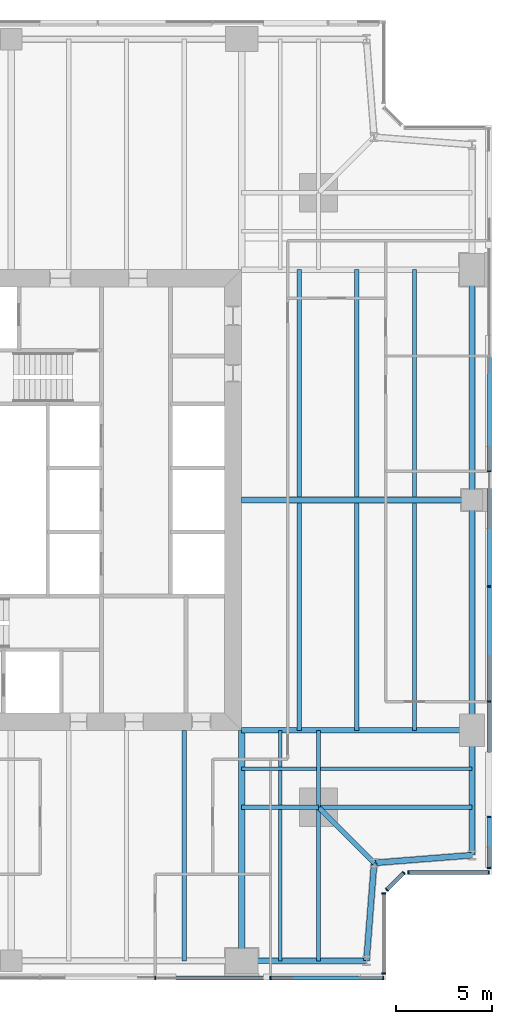
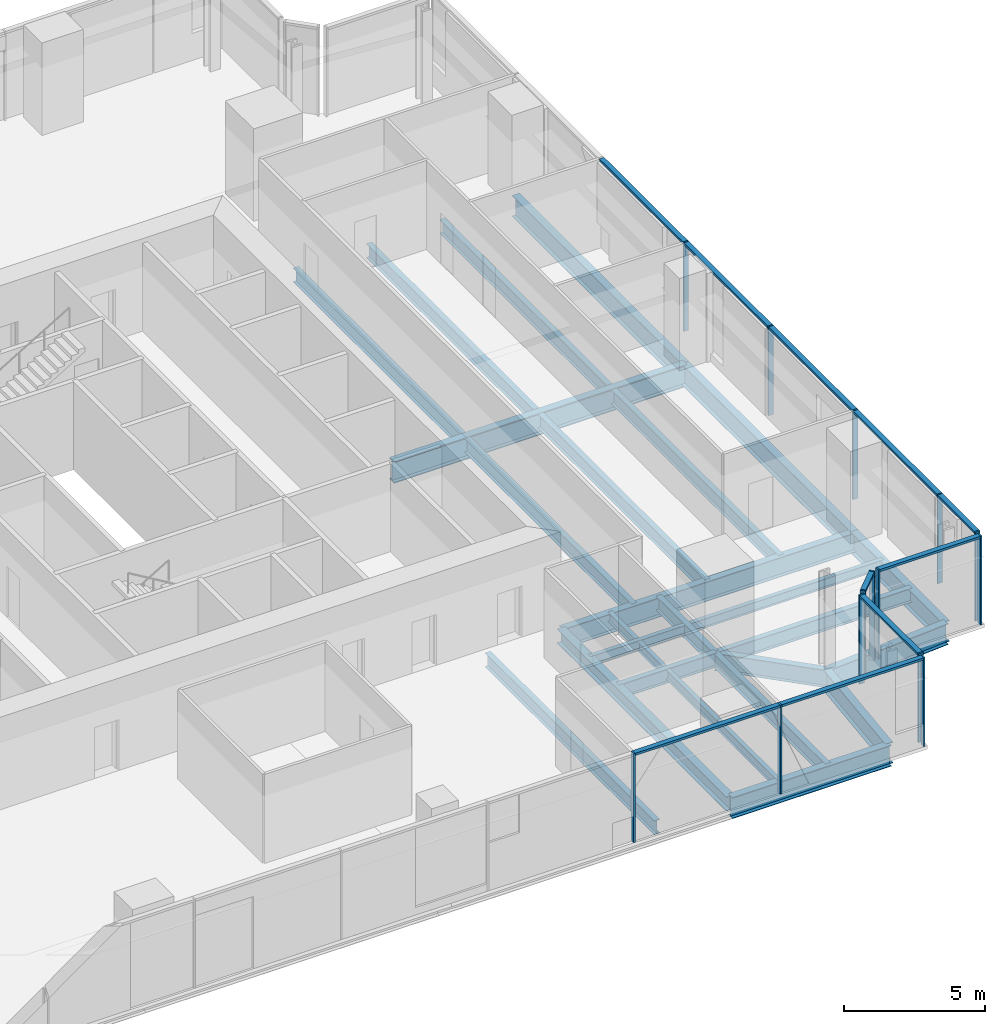
# One storey, part 5 of 14: 26 beams, 24 members, 5 elements without a shape of their own.
"""IFC4 building model written with IfcOpenShell, lengths in metres."""

from ifc_helpers import new_model, si_unit, direction, frame, origin, origin_2d, place, context, subcontext, project, spatial, rectangle, i_section, extrude, material, material_profile, profile_set, type_object, element, aggregate, save


model = new_model("IFC4")

# Units and contexts
model_context = context("Model", 3, precision=1e-05, world=origin(), true_north=direction((0.0, 1.0)))
body_context = subcontext(model_context, "Body", "Model", "MODEL_VIEW")
ifc_project = project(units=[si_unit("LENGTHUNIT", "METRE"), si_unit("AREAUNIT", "SQUARE_METRE"), si_unit("VOLUMEUNIT", "CUBIC_METRE"), si_unit("PLANEANGLEUNIT", "RADIAN"), si_unit("MASSUNIT", "GRAM", prefix="KILO")], contexts=[model_context])

# Site, building, storey
site_placement = place(None, origin())
site = spatial("IfcSite", under=ifc_project, at=site_placement, CompositionType="ELEMENT")
building_placement = place(site_placement, origin())
building = spatial("IfcBuilding", under=site, at=building_placement, Name="Fenwick Lantern Interchange", CompositionType="ELEMENT")
storey_placement = place(building_placement, frame((0.0, 0.0, 221.800048828125)))
storey = spatial("IfcBuildingStorey", under=building, at=storey_placement, Name="L52", CompositionType="ELEMENT", Elevation=221.800048828125)

# Beams
ifc_material_1 = material(Name="Steel ASTM A992 Grade 50", Category="steel")
ifc_material_profile_1 = material_profile(ifc_material_1, i_section(OverallWidth=0.3046875, OverallDepth=0.911865234375, WebThickness=0.015869140625, FlangeThickness=0.02392578125, at=origin_2d()), Name="W36X150")
ifc_profile_set_1 = profile_set([ifc_material_profile_1], Name="Steel ASTM A992 Grade 50")
beam_type_1 = type_object("IfcBeamType", Name="EDGE BEAM W36X150", PredefinedType="SPANDREL", material=ifc_profile_set_1)
beam_1_placement = place(storey_placement, frame((37.0, 1.0, -0.60595703125), z_axis=(1.0, 0.0, 0.0), x_axis=(0.0, 1.0, 0.0)))
element("IfcBeam", 1, at=beam_1_placement, inside=storey, type_object=beam_type_1, Name="L52/FR/S/EB4", PredefinedType="SPANDREL", context=body_context, shape_type="SweptSolid", body=[
    extrude(i_section(OverallWidth=0.3046875, OverallDepth=0.911865234375, WebThickness=0.015869140625, FlangeThickness=0.02392578125, at=origin_2d()), origin(), (0.0, 0.0, 1.0), 6.5),
])
for number, where, z_axis, x_axis, name in (
    (2, (43.5, 1.0, -0.60595703125), (0.078170784639, 0.99693998236, 0.0), (-0.99693998236, 0.078170784639, 0.0), "L52/FR/S/EBR1"),
    (3, (43.89990234375, 6.10009765625, -0.60595703125), (0.99693998236, 0.078170784639, 0.0), (-0.078170784639, 0.99693998236, 0.0), "L52/FR/S/EBR2"),
):
    element("IfcBeam", number, at=place(storey_placement, frame(where, z_axis=z_axis, x_axis=x_axis)), inside=storey, type_object=beam_type_1, Name=name, PredefinedType="SPANDREL", context=body_context, shape_type="SweptSolid", body=[
        extrude(i_section(OverallWidth=0.3046875, OverallDepth=0.911865234375, WebThickness=0.015869140625, FlangeThickness=0.02392578125, at=origin_2d()), origin(), (0.0, 0.0, 1.0), 5.11572265625),
    ])
beam_2_placement = place(storey_placement, frame((49.0, 6.5, -0.60595703125), z_axis=(0.0, 1.0, 0.0), x_axis=(-1.0, 0.0, 0.0)))
element("IfcBeam", 4, at=beam_2_placement, inside=storey, type_object=beam_type_1, Name="L52/FR/E/EB1", PredefinedType="SPANDREL", context=body_context, shape_type="SweptSolid", body=[
    extrude(i_section(OverallWidth=0.3046875, OverallDepth=0.911865234375, WebThickness=0.015869140625, FlangeThickness=0.02392578125, at=origin_2d()), origin(), (0.0, 0.0, 1.0), 6.5),
])
for number, where, z_axis, x_axis, name in (
    (5, (49.0, 13.0, -0.60595703125), (0.0, 1.0, 0.0), (-1.0, 0.0, 0.0), "L52/FR/E/EB2"),
    (6, (49.0, 25.0, -0.60595703125), (0.0, 1.0, 0.0), (-1.0, 0.0, 0.0), "L52/FR/E/EB3"),
):
    element("IfcBeam", number, at=place(storey_placement, frame(where, z_axis=z_axis, x_axis=x_axis)), inside=storey, type_object=beam_type_1, Name=name, PredefinedType="SPANDREL", context=body_context, shape_type="SweptSolid", body=[
        extrude(i_section(OverallWidth=0.3046875, OverallDepth=0.911865234375, WebThickness=0.015869140625, FlangeThickness=0.02392578125, at=origin_2d()), origin(), (0.0, 0.0, 1.0), 12.0),
    ])
ifc_material_profile_2 = material_profile(ifc_material_1, i_section(OverallWidth=0.22900390625, OverallDepth=0.612060546875, WebThickness=0.011962890625, FlangeThickness=0.01953125, at=origin_2d()), Name="W24X84")
ifc_profile_set_2 = profile_set([ifc_material_profile_2], Name="Steel ASTM A992 Grade 50")
beam_type_2 = type_object("IfcBeamType", Name="FLOOR BEAM W24X84", PredefinedType="BEAM", material=ifc_profile_set_2)
beam_3_placement = place(storey_placement, frame((34.0, 1.0, -0.4560546875), z_axis=(0.0, 1.0, 0.0), x_axis=(-1.0, 0.0, 0.0)))
element("IfcBeam", 7, at=beam_3_placement, inside=storey, type_object=beam_type_2, Name="L52/FR/S/R08", PredefinedType="BEAM", context=body_context, shape_type="SweptSolid", body=[
    extrude(i_section(OverallWidth=0.22900390625, OverallDepth=0.612060546875, WebThickness=0.011962890625, FlangeThickness=0.01953125, at=origin_2d()), origin(), (0.0, 0.0, 1.0), 12.0),
])
for number, where, z_axis, x_axis, name in (
    (8, (46.0, 13.0, -0.4560546875), (0.0, 1.0, 0.0), (-1.0, 0.0, 0.0), "L52/FR/E/B01"),
    (9, (43.0, 13.0, -0.4560546875), (0.0, 1.0, 0.0), (-1.0, 0.0, 0.0), "L52/FR/E/B02"),
    (10, (40.0, 13.0, -0.4560546875), (0.0, 1.0, 0.0), (-1.0, 0.0, 0.0), "L52/FR/E/B03"),
    (11, (46.0, 25.155029296875, -0.4560546875), (0.0, 1.0, 0.0), (-1.0, 0.0, 0.0), "L52/FR/E/B04"),
    (12, (43.0, 25.155029296875, -0.4560546875), (0.0, 1.0, 0.0), (-1.0, 0.0, 0.0), "L52/FR/E/B05"),
    (13, (40.0, 25.155029296875, -0.4560546875), (0.0, 1.0, 0.0), (-1.0, 0.0, 0.0), "L52/FR/E/B06"),
):
    element("IfcBeam", number, at=place(storey_placement, frame(where, z_axis=z_axis, x_axis=x_axis)), inside=storey, type_object=beam_type_2, Name=name, PredefinedType="BEAM", context=body_context, shape_type="SweptSolid", body=[
        extrude(i_section(OverallWidth=0.22900390625, OverallDepth=0.612060546875, WebThickness=0.011962890625, FlangeThickness=0.01953125, at=origin_2d()), origin(), (0.0, 0.0, 1.0), 11.844970703125),
    ])
ifc_material_profile_3 = material_profile(ifc_material_1, i_section(OverallWidth=0.177734375, OverallDepth=0.406494140625, WebThickness=0.0078125, FlangeThickness=0.012939453125, at=origin_2d()), Name="W16X40")
ifc_profile_set_3 = profile_set([ifc_material_profile_3], Name="Steel ASTM A992 Grade 50")
beam_type_3 = type_object("IfcBeamType", Name="INFILL BEAM W16X40", PredefinedType="JOIST", material=ifc_profile_set_3)
beam_4_placement = place(storey_placement, frame((49.0, 11.0, -0.353271484375), z_axis=(-1.0, 0.0, 0.0), x_axis=(0.0, -1.0, 0.0)))
element("IfcBeam", 14, at=beam_4_placement, inside=storey, type_object=beam_type_3, Name="L52/FR/E/J1", PredefinedType="JOIST", context=body_context, shape_type="SweptSolid", body=[
    extrude(i_section(OverallWidth=0.177734375, OverallDepth=0.406494140625, WebThickness=0.0078125, FlangeThickness=0.012939453125, at=origin_2d()), origin(), (0.0, 0.0, 1.0), 7.885498046875),
])
beam_5_placement = place(storey_placement, frame((40.885498046875, 11.0, -0.353271484375), z_axis=(-1.0, 0.0, 0.0), x_axis=(0.0, -1.0, 0.0)))
element("IfcBeam", 15, at=beam_5_placement, inside=storey, type_object=beam_type_3, Name="L52/FR/E/J2", PredefinedType="JOIST", context=body_context, shape_type="SweptSolid", body=[
    extrude(i_section(OverallWidth=0.177734375, OverallDepth=0.406494140625, WebThickness=0.0078125, FlangeThickness=0.012939453125, at=origin_2d()), origin(), (0.0, 0.0, 1.0), 3.885498046875),
])
beam_6_placement = place(storey_placement, frame((39.0, 1.0, -0.353271484375), z_axis=(0.0, 1.0, 0.0), x_axis=(-1.0, 0.0, 0.0)))
element("IfcBeam", 16, at=beam_6_placement, inside=storey, type_object=beam_type_3, Name="L52/FR/E/J3", PredefinedType="JOIST", context=body_context, shape_type="SweptSolid", body=[
    extrude(i_section(OverallWidth=0.177734375, OverallDepth=0.406494140625, WebThickness=0.0078125, FlangeThickness=0.012939453125, at=origin_2d()), origin(), (0.0, 0.0, 1.0), 7.885498046875),
])
beam_7_placement = place(storey_placement, frame((39.0, 9.114501953125, -0.353271484375), z_axis=(0.0, 1.0, 0.0), x_axis=(-1.0, 0.0, 0.0)))
element("IfcBeam", 17, at=beam_7_placement, inside=storey, type_object=beam_type_3, Name="L52/FR/E/J4", PredefinedType="JOIST", context=body_context, shape_type="SweptSolid", body=[
    extrude(i_section(OverallWidth=0.177734375, OverallDepth=0.406494140625, WebThickness=0.0078125, FlangeThickness=0.012939453125, at=origin_2d()), origin(), (0.0, 0.0, 1.0), 1.796630859375),
])
beam_8_placement = place(storey_placement, frame((39.0, 11.0888671875, -0.353271484375), z_axis=(0.0, 1.0, 0.0), x_axis=(-1.0, 0.0, 0.0)))
element("IfcBeam", 18, at=beam_8_placement, inside=storey, type_object=beam_type_3, Name="L52/FR/E/J5", PredefinedType="JOIST", context=body_context, shape_type="SweptSolid", body=[
    extrude(i_section(OverallWidth=0.177734375, OverallDepth=0.406494140625, WebThickness=0.0078125, FlangeThickness=0.012939453125, at=origin_2d()), origin(), (0.0, 0.0, 1.0), 1.9111328125),
])
ifc_material_profile_4 = material_profile(ifc_material_1, i_section(OverallWidth=0.22900390625, OverallDepth=0.612060546875, WebThickness=0.011962890625, FlangeThickness=0.01953125, at=origin_2d()), Name="W24X84")
ifc_profile_set_4 = profile_set([ifc_material_profile_4], Name="Steel ASTM A992 Grade 50")
beam_type_4 = type_object("IfcBeamType", Name="MEGA COLUMN BEAM W24X84", PredefinedType="BEAM", material=ifc_profile_set_4)
for number, where, z_axis, x_axis, name in (
    (19, (41.0, 9.0, -0.4560546875), (1.0, 0.0, 0.0), (0.0, 1.0, 0.0), "L52/FR/E/MB1"),
    (20, (41.0, 9.0, -0.4560546875), (0.0, -1.0, 0.0), (1.0, 0.0, 0.0), "L52/FR/E/MB2"),
):
    element("IfcBeam", number, at=place(storey_placement, frame(where, z_axis=z_axis, x_axis=x_axis)), inside=storey, type_object=beam_type_4, Name=name, PredefinedType="BEAM", context=body_context, shape_type="SweptSolid", body=[
        extrude(i_section(OverallWidth=0.22900390625, OverallDepth=0.612060546875, WebThickness=0.011962890625, FlangeThickness=0.01953125, at=origin_2d()), origin(), (0.0, 0.0, 1.0), 8.0),
    ])
for number, where, z_axis, x_axis, name in (
    (21, (41.0, 9.0, -0.4560546875), (0.0, 1.0, 0.0), (-1.0, 0.0, 0.0), "L52/FR/E/MB3"),
    (22, (41.0, 9.0, -0.4560546875), (-1.0, 0.0, 0.0), (0.0, -1.0, 0.0), "L52/FR/E/MB4"),
):
    element("IfcBeam", number, at=place(storey_placement, frame(where, z_axis=z_axis, x_axis=x_axis)), inside=storey, type_object=beam_type_4, Name=name, PredefinedType="BEAM", context=body_context, shape_type="SweptSolid", body=[
        extrude(i_section(OverallWidth=0.22900390625, OverallDepth=0.612060546875, WebThickness=0.011962890625, FlangeThickness=0.01953125, at=origin_2d()), origin(), (0.0, 0.0, 1.0), 4.0),
    ])
ifc_material_profile_5 = material_profile(ifc_material_1, i_section(OverallWidth=0.32763671875, OverallDepth=0.622314453125, WebThickness=0.015380859375, FlangeThickness=0.0244140625, at=origin_2d()), Name="W24X131")
ifc_profile_set_5 = profile_set([ifc_material_profile_5], Name="Steel ASTM A992 Grade 50")
beam_type_5 = type_object("IfcBeamType", Name="MOMENT-CONNECTED GIRDER W24X131", PredefinedType="BEAM", material=ifc_profile_set_5)
beam_9_placement = place(storey_placement, frame((37.0, 1.0, -0.461181640625), z_axis=(0.0, 1.0, 0.0), x_axis=(-1.0, 0.0, 0.0)))
element("IfcBeam", 23, at=beam_9_placement, inside=storey, type_object=beam_type_5, Name="L52/FR/S/R09", PredefinedType="BEAM", context=body_context, shape_type="SweptSolid", body=[
    extrude(i_section(OverallWidth=0.32763671875, OverallDepth=0.622314453125, WebThickness=0.015380859375, FlangeThickness=0.0244140625, at=origin_2d()), origin(), (0.0, 0.0, 1.0), 12.0),
])
ifc_material_profile_6 = material_profile(ifc_material_1, i_section(OverallWidth=0.2919921875, OverallDepth=0.845703125, WebThickness=0.015380859375, FlangeThickness=0.0244140625, at=origin_2d()), Name="W33X141")
ifc_profile_set_6 = profile_set([ifc_material_profile_6], Name="Steel ASTM A992 Grade 50")
beam_type_6 = type_object("IfcBeamType", Name="MOMENT-CONNECTED GIRDER W33X141", PredefinedType="BEAM", material=ifc_profile_set_6)
beam_10_placement = place(storey_placement, frame((49.0, 13.0, -0.572998046875), z_axis=(-1.0, 0.0, 0.0), x_axis=(0.0, -1.0, 0.0)))
element("IfcBeam", 24, at=beam_10_placement, inside=storey, type_object=beam_type_6, Name="L52/FR/E/R01", PredefinedType="BEAM", context=body_context, shape_type="SweptSolid", body=[
    extrude(i_section(OverallWidth=0.2919921875, OverallDepth=0.845703125, WebThickness=0.015380859375, FlangeThickness=0.0244140625, at=origin_2d()), origin(), (0.0, 0.0, 1.0), 12.0),
])
ifc_material_profile_7 = material_profile(ifc_material_1, i_section(OverallWidth=0.309814453125, OverallDepth=0.949951171875, WebThickness=0.0244140625, FlangeThickness=0.0439453125, at=origin_2d()), Name="W36X256")
ifc_profile_set_7 = profile_set([ifc_material_profile_7], Name="Steel ASTM A992 Grade 50")
beam_type_7 = type_object("IfcBeamType", Name="MOMENT-CONNECTED GIRDER W36X256", PredefinedType="BEAM", material=ifc_profile_set_7)
beam_11_placement = place(storey_placement, frame((49.0, 25.0, -0.625), z_axis=(-1.0, 0.0, 0.0), x_axis=(0.0, -1.0, 0.0)))
element("IfcBeam", 25, at=beam_11_placement, inside=storey, type_object=beam_type_7, Name="L52/FR/E/R02", PredefinedType="BEAM", context=body_context, shape_type="SweptSolid", body=[
    extrude(i_section(OverallWidth=0.309814453125, OverallDepth=0.949951171875, WebThickness=0.0244140625, FlangeThickness=0.0439453125, at=origin_2d()), origin(), (0.0, 0.0, 1.0), 12.0),
])
ifc_material_profile_8 = material_profile(ifc_material_1, i_section(OverallWidth=0.2666015625, OverallDepth=0.7568359375, WebThickness=0.013916015625, FlangeThickness=0.019287109375, at=origin_2d()), Name="W30X108")
ifc_profile_set_8 = profile_set([ifc_material_profile_8], Name="Steel ASTM A992 Grade 50")
beam_type_8 = type_object("IfcBeamType", Name="NOTCH BEAM W30X108", PredefinedType="BEAM", material=ifc_profile_set_8)
beam_12_placement = place(storey_placement, frame((41.0, 9.0, -0.528564453125), z_axis=(0.707106781187, -0.707106781187, 0.0), x_axis=(0.707106781187, 0.707106781187, 0.0)))
element("IfcBeam", 26, at=beam_12_placement, inside=storey, type_object=beam_type_8, Name="L52/FR/E/TG", PredefinedType="BEAM", context=body_context, shape_type="SweptSolid", body=[
    extrude(i_section(OverallWidth=0.2666015625, OverallDepth=0.7568359375, WebThickness=0.013916015625, FlangeThickness=0.019287109375, at=origin_2d()), origin(), (0.0, 0.0, 1.0), 4.10107421875),
])

# Curtain wall, members
ifc_material_2 = material(Name="Aluminium curtain wall frame", Category="aluminium")
curtain_wall_type = type_object("IfcCurtainWallType", Name="OFFICE CURTAIN WALL", PredefinedType="USERDEFINED", material=ifc_material_2)
curtain_wall_1_placement = place(storey_placement, origin())
curtain_wall_1 = element("IfcCurtainWall", 27, at=curtain_wall_1_placement, inside=storey, type_object=curtain_wall_type, Name="Office curtain wall 01", ObjectType="OFFICE CURTAIN WALL", PredefinedType="USERDEFINED")
ifc_material_3 = material(Name="Aluminium extrusion", Category="aluminium")
ifc_material_profile_9 = material_profile(ifc_material_3, rectangle(XDim=0.199951171875, YDim=0.06494140625, at=origin_2d()), Name="OFFICE CURTAIN WALL MULLION 65 X 200")
ifc_profile_set_9 = profile_set([ifc_material_profile_9], Name="Aluminium extrusion")
member_type_1 = type_object("IfcMemberType", Name="OFFICE CURTAIN WALL MULLION 65 X 200", PredefinedType="MULLION", material=ifc_profile_set_9)
member_1_placement = place(storey_placement, frame((32.5, 0.10009765625, 0.0), z_axis=(0.0, 0.0, 1.0), x_axis=(0.0, 1.0, 0.0)))
member_1 = element("IfcMember", 28, at=member_1_placement, type_object=member_type_1, Name="L52/CW/01/M05", PredefinedType="MULLION", context=body_context, shape_type="SweptSolid", body=[
    extrude(rectangle(XDim=0.199951171875, YDim=0.06494140625, at=origin_2d()), origin(), (0.0, 0.0, 1.0), 3.849853515625),
])
member_2_placement = place(storey_placement, frame((38.5, 0.10009765625, 0.0), z_axis=(0.0, 0.0, 1.0), x_axis=(0.0, 1.0, 0.0)))
member_2 = element("IfcMember", 29, at=member_2_placement, type_object=member_type_1, Name="L52/CW/01/M06", PredefinedType="MULLION", context=body_context, shape_type="SweptSolid", body=[
    extrude(rectangle(XDim=0.199951171875, YDim=0.06494140625, at=origin_2d()), origin(), (0.0, 0.0, 1.0), 3.849853515625),
])
member_3_placement = place(storey_placement, frame((44.367431640625, 0.10009765625, 0.0), z_axis=(0.0, 0.0, 1.0), x_axis=(0.0, 1.0, 0.0)))
member_3 = element("IfcMember", 30, at=member_3_placement, type_object=member_type_1, Name="L52/CW/01/M07", PredefinedType="MULLION", context=body_context, shape_type="SweptSolid", body=[
    extrude(rectangle(XDim=0.199951171875, YDim=0.06494140625, at=origin_2d()), origin(), (0.0, 0.0, 1.0), 3.849853515625),
])

curtain_wall_2_placement = place(storey_placement, origin())
curtain_wall_2 = element("IfcCurtainWall", 31, at=curtain_wall_2_placement, inside=storey, type_object=curtain_wall_type, Name="Office curtain wall 02", ObjectType="OFFICE CURTAIN WALL", PredefinedType="USERDEFINED")
member_4_placement = place(storey_placement, frame((44.39990234375, 0.33251953125, 0.0), z_axis=(0.0, 0.0, 1.0), x_axis=(-1.0, 0.0, 0.0)))
member_4 = element("IfcMember", 32, at=member_4_placement, type_object=member_type_1, Name="L52/CW/02/M00", PredefinedType="MULLION", context=body_context, shape_type="SweptSolid", body=[
    extrude(rectangle(XDim=0.199951171875, YDim=0.06494140625, at=origin_2d()), origin(), (0.0, 0.0, 1.0), 3.849853515625),
])
member_5_placement = place(storey_placement, frame((44.39990234375, 4.509033203125, 0.0), z_axis=(0.0, 0.0, 1.0), x_axis=(-1.0, 0.0, 0.0)))
member_5 = element("IfcMember", 33, at=member_5_placement, type_object=member_type_1, Name="L52/CW/02/M01", PredefinedType="MULLION", context=body_context, shape_type="SweptSolid", body=[
    extrude(rectangle(XDim=0.199951171875, YDim=0.06494140625, at=origin_2d()), origin(), (0.0, 0.0, 1.0), 3.849853515625),
])

curtain_wall_3_placement = place(storey_placement, origin())
curtain_wall_3 = element("IfcCurtainWall", 34, at=curtain_wall_3_placement, inside=storey, type_object=curtain_wall_type, Name="Office curtain wall 03", ObjectType="OFFICE CURTAIN WALL", PredefinedType="USERDEFINED")
member_6_placement = place(storey_placement, frame((44.564453125, 4.705810546875, 0.0), z_axis=(0.0, 0.0, 1.0), x_axis=(-0.707106781187, 0.707106781187, 0.0)))
member_6 = element("IfcMember", 35, at=member_6_placement, type_object=member_type_1, Name="L52/CW/03/M00", PredefinedType="MULLION", context=body_context, shape_type="SweptSolid", body=[
    extrude(rectangle(XDim=0.199951171875, YDim=0.06494140625, at=origin_2d()), origin(), (0.0, 0.0, 1.0), 3.849853515625),
])
member_7_placement = place(storey_placement, frame((45.435546875, 5.576904296875, 0.0), z_axis=(0.0, 0.0, 1.0), x_axis=(-0.707106781187, 0.707106781187, 0.0)))
member_7 = element("IfcMember", 36, at=member_7_placement, type_object=member_type_1, Name="L52/CW/03/M01", PredefinedType="MULLION", context=body_context, shape_type="SweptSolid", body=[
    extrude(rectangle(XDim=0.199951171875, YDim=0.06494140625, at=origin_2d()), origin(), (0.0, 0.0, 1.0), 3.849853515625),
])

curtain_wall_4_placement = place(storey_placement, origin())
curtain_wall_4 = element("IfcCurtainWall", 37, at=curtain_wall_4_placement, inside=storey, type_object=curtain_wall_type, Name="Office curtain wall 04", ObjectType="OFFICE CURTAIN WALL", PredefinedType="USERDEFINED")
member_8_placement = place(storey_placement, frame((45.691162109375, 5.60009765625, 0.0), z_axis=(0.0, 0.0, 1.0), x_axis=(0.0, 1.0, 0.0)))
member_8 = element("IfcMember", 38, at=member_8_placement, type_object=member_type_1, Name="L52/CW/04/M00", PredefinedType="MULLION", context=body_context, shape_type="SweptSolid", body=[
    extrude(rectangle(XDim=0.199951171875, YDim=0.06494140625, at=origin_2d()), origin(), (0.0, 0.0, 1.0), 3.849853515625),
])
member_9_placement = place(storey_placement, frame((49.867431640625, 5.60009765625, 0.0), z_axis=(0.0, 0.0, 1.0), x_axis=(0.0, 1.0, 0.0)))
member_9 = element("IfcMember", 39, at=member_9_placement, type_object=member_type_1, Name="L52/CW/04/M01", PredefinedType="MULLION", context=body_context, shape_type="SweptSolid", body=[
    extrude(rectangle(XDim=0.199951171875, YDim=0.06494140625, at=origin_2d()), origin(), (0.0, 0.0, 1.0), 3.849853515625),
])

curtain_wall_5_placement = place(storey_placement, origin())
curtain_wall_5 = element("IfcCurtainWall", 40, at=curtain_wall_5_placement, inside=storey, type_object=curtain_wall_type, Name="Office curtain wall 05", ObjectType="OFFICE CURTAIN WALL", PredefinedType="USERDEFINED")
member_10_placement = place(storey_placement, frame((49.89990234375, 5.83251953125, 0.0), z_axis=(0.0, 0.0, 1.0), x_axis=(-1.0, 0.0, 0.0)))
member_10 = element("IfcMember", 41, at=member_10_placement, type_object=member_type_1, Name="L52/CW/05/M00", PredefinedType="MULLION", context=body_context, shape_type="SweptSolid", body=[
    extrude(rectangle(XDim=0.199951171875, YDim=0.06494140625, at=origin_2d()), origin(), (0.0, 0.0, 1.0), 3.849853515625),
])
member_11_placement = place(storey_placement, frame((49.89990234375, 8.5, 0.0), z_axis=(0.0, 0.0, 1.0), x_axis=(-1.0, 0.0, 0.0)))
member_11 = element("IfcMember", 42, at=member_11_placement, type_object=member_type_1, Name="L52/CW/05/M01", PredefinedType="MULLION", context=body_context, shape_type="SweptSolid", body=[
    extrude(rectangle(XDim=0.199951171875, YDim=0.06494140625, at=origin_2d()), origin(), (0.0, 0.0, 1.0), 3.849853515625),
])
member_12_placement = place(storey_placement, frame((49.89990234375, 14.5, 0.0), z_axis=(0.0, 0.0, 1.0), x_axis=(-1.0, 0.0, 0.0)))
member_12 = element("IfcMember", 43, at=member_12_placement, type_object=member_type_1, Name="L52/CW/05/M02", PredefinedType="MULLION", context=body_context, shape_type="SweptSolid", body=[
    extrude(rectangle(XDim=0.199951171875, YDim=0.06494140625, at=origin_2d()), origin(), (0.0, 0.0, 1.0), 3.849853515625),
])
member_13_placement = place(storey_placement, frame((49.89990234375, 20.5, 0.0), z_axis=(0.0, 0.0, 1.0), x_axis=(-1.0, 0.0, 0.0)))
member_13 = element("IfcMember", 44, at=member_13_placement, type_object=member_type_1, Name="L52/CW/05/M03", PredefinedType="MULLION", context=body_context, shape_type="SweptSolid", body=[
    extrude(rectangle(XDim=0.199951171875, YDim=0.06494140625, at=origin_2d()), origin(), (0.0, 0.0, 1.0), 3.849853515625),
])
member_14_placement = place(storey_placement, frame((49.89990234375, 26.5, 0.0), z_axis=(0.0, 0.0, 1.0), x_axis=(-1.0, 0.0, 0.0)))
member_14 = element("IfcMember", 45, at=member_14_placement, type_object=member_type_1, Name="L52/CW/05/M04", PredefinedType="MULLION", context=body_context, shape_type="SweptSolid", body=[
    extrude(rectangle(XDim=0.199951171875, YDim=0.06494140625, at=origin_2d()), origin(), (0.0, 0.0, 1.0), 3.849853515625),
])

# Member
ifc_material_profile_10 = material_profile(ifc_material_3, rectangle(XDim=0.199951171875, YDim=0.10009765625, at=origin_2d()), Name="OFFICE CURTAIN WALL TRANSOM 100 X 200")
ifc_profile_set_10 = profile_set([ifc_material_profile_10], Name="Aluminium extrusion")
member_type_2 = type_object("IfcMemberType", Name="OFFICE CURTAIN WALL TRANSOM 100 X 200", PredefinedType="MULLION", material=ifc_profile_set_10)
member_15_placement = place(storey_placement, frame((32.532470703125, 0.10009765625, 3.800048828125), z_axis=(1.0, 0.0, 0.0), x_axis=(0.0, 1.0, 0.0)))
member_15 = element("IfcMember", 46, at=member_15_placement, type_object=member_type_2, Name="L52/CW/01/T05", PredefinedType="MULLION", context=body_context, shape_type="SweptSolid", body=[
    extrude(rectangle(XDim=0.199951171875, YDim=0.10009765625, at=origin_2d()), origin(), (0.0, 0.0, 1.0), 5.93505859375),
])

member_16_placement = place(storey_placement, frame((38.532470703125, 0.10009765625, 3.800048828125), z_axis=(1.0, 0.0, 0.0), x_axis=(0.0, 1.0, 0.0)))
member_16 = element("IfcMember", 47, at=member_16_placement, type_object=member_type_2, Name="L52/CW/01/T06", PredefinedType="MULLION", context=body_context, shape_type="SweptSolid", body=[
    extrude(rectangle(XDim=0.199951171875, YDim=0.10009765625, at=origin_2d()), origin(), (0.0, 0.0, 1.0), 5.802490234375),
])

aggregate(curtain_wall_1, [member_1, member_2, member_3, member_15, member_16])

member_17_placement = place(storey_placement, frame((44.39990234375, 0.364990234375, 3.800048828125), z_axis=(0.0, 1.0, 0.0), x_axis=(-1.0, 0.0, 0.0)))
member_17 = element("IfcMember", 48, at=member_17_placement, type_object=member_type_2, Name="L52/CW/02/T00", PredefinedType="MULLION", context=body_context, shape_type="SweptSolid", body=[
    extrude(rectangle(XDim=0.199951171875, YDim=0.10009765625, at=origin_2d()), origin(), (0.0, 0.0, 1.0), 4.111328125),
])

aggregate(curtain_wall_2, [member_4, member_5, member_17])

member_18_placement = place(storey_placement, frame((44.58740234375, 4.728759765625, 3.800048828125), z_axis=(0.707106781187, 0.707106781187, 0.0), x_axis=(-0.707106781187, 0.707106781187, 0.0)))
member_18 = element("IfcMember", 49, at=member_18_placement, type_object=member_type_2, Name="L52/CW/03/T00", PredefinedType="MULLION", context=body_context, shape_type="SweptSolid", body=[
    extrude(rectangle(XDim=0.199951171875, YDim=0.10009765625, at=origin_2d()), origin(), (0.0, 0.0, 1.0), 1.1669921875),
])

aggregate(curtain_wall_3, [member_6, member_7, member_18])

member_19_placement = place(storey_placement, frame((45.7236328125, 5.60009765625, 3.800048828125), z_axis=(1.0, 0.0, 0.0), x_axis=(0.0, 1.0, 0.0)))
member_19 = element("IfcMember", 50, at=member_19_placement, type_object=member_type_2, Name="L52/CW/04/T00", PredefinedType="MULLION", context=body_context, shape_type="SweptSolid", body=[
    extrude(rectangle(XDim=0.199951171875, YDim=0.10009765625, at=origin_2d()), origin(), (0.0, 0.0, 1.0), 4.111328125),
])

aggregate(curtain_wall_4, [member_8, member_9, member_19])

member_20_placement = place(storey_placement, frame((49.89990234375, 5.864990234375, 3.800048828125), z_axis=(0.0, 1.0, 0.0), x_axis=(-1.0, 0.0, 0.0)))
member_20 = element("IfcMember", 51, at=member_20_placement, type_object=member_type_2, Name="L52/CW/05/T00", PredefinedType="MULLION", context=body_context, shape_type="SweptSolid", body=[
    extrude(rectangle(XDim=0.199951171875, YDim=0.10009765625, at=origin_2d()), origin(), (0.0, 0.0, 1.0), 2.6025390625),
])

member_21_placement = place(storey_placement, frame((49.89990234375, 8.532470703125, 3.800048828125), z_axis=(0.0, 1.0, 0.0), x_axis=(-1.0, 0.0, 0.0)))
member_21 = element("IfcMember", 52, at=member_21_placement, type_object=member_type_2, Name="L52/CW/05/T01", PredefinedType="MULLION", context=body_context, shape_type="SweptSolid", body=[
    extrude(rectangle(XDim=0.199951171875, YDim=0.10009765625, at=origin_2d()), origin(), (0.0, 0.0, 1.0), 5.93505859375),
])

member_22_placement = place(storey_placement, frame((49.89990234375, 14.532470703125, 3.800048828125), z_axis=(0.0, 1.0, 0.0), x_axis=(-1.0, 0.0, 0.0)))
member_22 = element("IfcMember", 53, at=member_22_placement, type_object=member_type_2, Name="L52/CW/05/T02", PredefinedType="MULLION", context=body_context, shape_type="SweptSolid", body=[
    extrude(rectangle(XDim=0.199951171875, YDim=0.10009765625, at=origin_2d()), origin(), (0.0, 0.0, 1.0), 5.93505859375),
])

member_23_placement = place(storey_placement, frame((49.89990234375, 20.532470703125, 3.800048828125), z_axis=(0.0, 1.0, 0.0), x_axis=(-1.0, 0.0, 0.0)))
member_23 = element("IfcMember", 54, at=member_23_placement, type_object=member_type_2, Name="L52/CW/05/T03", PredefinedType="MULLION", context=body_context, shape_type="SweptSolid", body=[
    extrude(rectangle(XDim=0.199951171875, YDim=0.10009765625, at=origin_2d()), origin(), (0.0, 0.0, 1.0), 5.93505859375),
])

member_24_placement = place(storey_placement, frame((49.89990234375, 26.532470703125, 3.800048828125), z_axis=(0.0, 1.0, 0.0), x_axis=(-1.0, 0.0, 0.0)))
member_24 = element("IfcMember", 55, at=member_24_placement, type_object=member_type_2, Name="L52/CW/05/T04", PredefinedType="MULLION", context=body_context, shape_type="SweptSolid", body=[
    extrude(rectangle(XDim=0.199951171875, YDim=0.10009765625, at=origin_2d()), origin(), (0.0, 0.0, 1.0), 5.93505859375),
])

aggregate(curtain_wall_5, [member_10, member_11, member_12, member_13, member_14, member_20, member_21, member_22, member_23, member_24])

save(model, "model.ifc")
